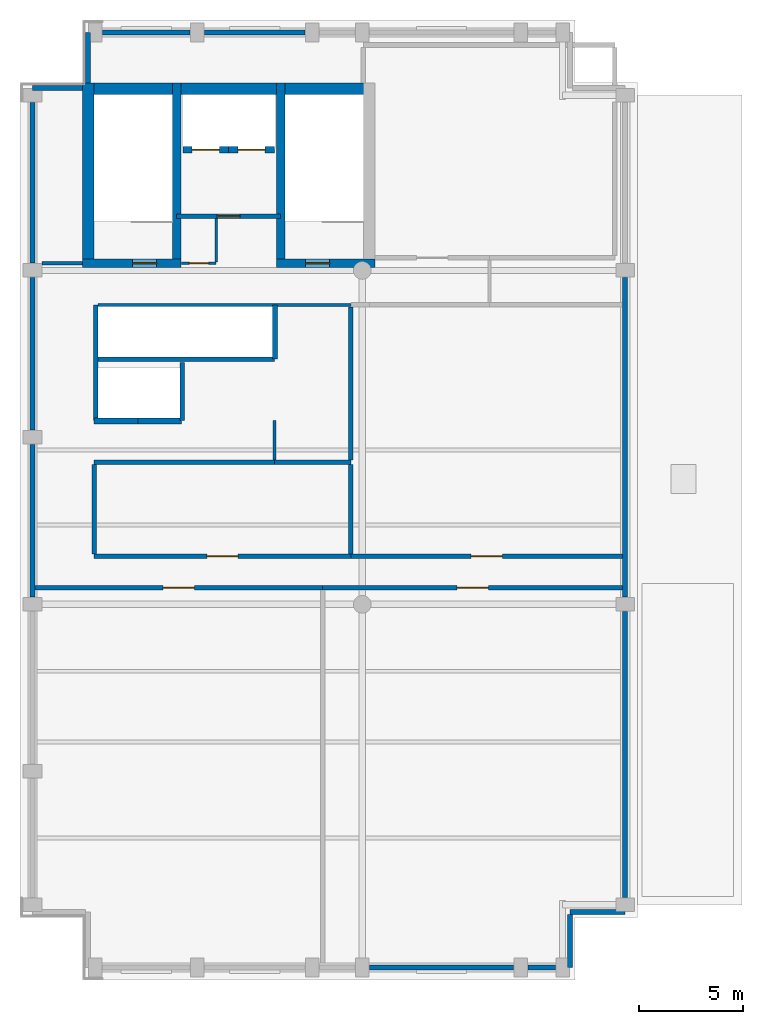
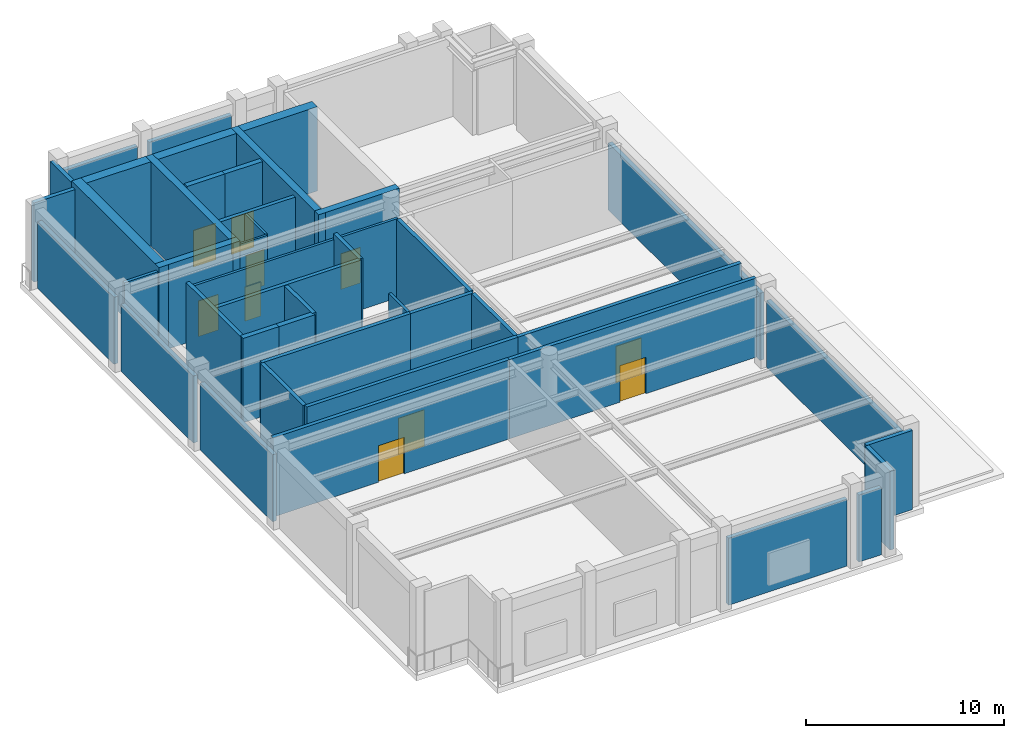
# One storey, part 2 of 4: 42 walls, 10 doors, 10 openings.
"""IFC4 building model written with IfcOpenShell, lengths in metres."""

from ifc_helpers import new_model, si_unit, direction, frame, frame_2d, origin, place, context, subcontext, project, spatial, rectangle, extrude, material, layer, layer_set, type_object, element, fill, save


model = new_model("IFC4")

# Units and contexts
model_context = context("Model", 3, precision=1e-05, world=origin(), true_north=direction((0.0, 1.0)))
body_context = subcontext(model_context, "Body", "Model", "MODEL_VIEW")
ifc_project = project(units=[si_unit("LENGTHUNIT", "METRE"), si_unit("AREAUNIT", "SQUARE_METRE"), si_unit("VOLUMEUNIT", "CUBIC_METRE"), si_unit("PLANEANGLEUNIT", "RADIAN"), si_unit("MASSUNIT", "GRAM", prefix="KILO")], contexts=[model_context])

# Site, building, storey
site_placement = place(None, origin())
site = spatial("IfcSite", under=ifc_project, at=site_placement, CompositionType="ELEMENT")
building_placement = place(site_placement, origin())
building = spatial("IfcBuilding", under=site, at=building_placement, Name="Sulina Concourse Tower", CompositionType="ELEMENT")
storey_placement = place(building_placement, frame((0.0, 0.0, 317.800048828125)))
storey = spatial("IfcBuildingStorey", under=building, at=storey_placement, Name="L77", CompositionType="ELEMENT", Elevation=317.800048828125)

# Walls
ifc_material_1 = material(Name="Concrete C50/60", Category="concrete")
ifc_layer_1 = layer(ifc_material_1, 0.219970703125)
ifc_layer_set_1 = layer_set([ifc_layer_1], Name="Concrete C50/60")
wall_type_1 = type_object("IfcWallType", Name="Core Lift Hoistway Divider Wall 220mm", PredefinedType="SOLIDWALL", material=ifc_layer_set_1)
wall_1_placement = place(storey_placement, frame((3.550048828125, 29.75, 0.0), z_axis=(0.0, 0.0, 1.0), x_axis=(1.0, 0.0, 0.0)))
element("IfcWall", 1, at=wall_1_placement, inside=storey, type_object=wall_type_1, Name="L77 shaft divider wall HW-LP3-S", PredefinedType="SOLIDWALL", context=body_context, shape_type="SweptSolid", body=[
    extrude(rectangle(XDim=8.64990234375, YDim=0.219970703125, at=frame_2d((4.324951171875, 0.0))), origin(), (0.0, 0.0, 1.0), 5.199951171875),
])
wall_2_placement = place(storey_placement, frame((3.6298828125, 26.800048828125, 0.0), z_axis=(0.0, 0.0, 1.0), x_axis=(0.0, 1.0, 0.0)))
element("IfcWall", 2, at=wall_2_placement, inside=storey, type_object=wall_type_1, Name="L77 shaft divider wall HW-LP3-W", PredefinedType="SOLIDWALL", context=body_context, shape_type="SweptSolid", body=[
    extrude(rectangle(XDim=5.550048828125, YDim=0.219970703125, at=frame_2d((2.77490234375, 0.0))), origin(), (0.0, 0.0, 1.0), 5.199951171875),
])
wall_3_placement = place(storey_placement, frame((7.780029296875, 26.800048828125, 0.0), z_axis=(0.0, 0.0, 1.0), x_axis=(0.0, 1.0, 0.0)))
element("IfcWall", 3, at=wall_3_placement, inside=storey, type_object=wall_type_1, Name="L77 shaft divider wall HW-EXP-E", PredefinedType="SOLIDWALL", context=body_context, shape_type="SweptSolid", body=[
    extrude(rectangle(XDim=2.800048828125, YDim=0.219970703125, at=frame_2d((1.39990234375, 0.0))), origin(), (0.0, 0.0, 1.0), 5.199951171875),
])
wall_4_placement = place(storey_placement, frame((12.219970703125, 29.75, 0.0), z_axis=(0.0, 0.0, 1.0), x_axis=(0.0, 1.0, 0.0)))
element("IfcWall", 4, at=wall_4_placement, inside=storey, type_object=wall_type_1, Name="L77 shaft divider wall HW-LP3-E", PredefinedType="SOLIDWALL", context=body_context, shape_type="SweptSolid", body=[
    extrude(rectangle(XDim=2.60009765625, YDim=0.219970703125, at=frame_2d((1.300048828125, 0.0))), origin(), (0.0, 0.0, 1.0), 5.199951171875),
])
ifc_material_2 = material(Name="Concrete C50/60", Category="concrete")
ifc_layer_2 = layer(ifc_material_2, 0.300048828125)
ifc_layer_set_2 = layer_set([ifc_layer_2], Name="Concrete C50/60")
wall_type_2 = type_object("IfcWallType", Name="Core Lift Hoistway Wall 300mm", PredefinedType="SOLIDWALL", material=ifc_layer_set_2)
wall_5_placement = place(storey_placement, frame((5.64990234375, 26.780029296875, 0.0), z_axis=(0.0, 0.0, 1.0), x_axis=(-1.0, 0.0, 0.0)))
element("IfcWall", 5, at=wall_5_placement, inside=storey, type_object=wall_type_2, Name="L77 hoistway enclosure wall EXP-1", PredefinedType="SOLIDWALL", context=body_context, shape_type="SweptSolid", body=[
    extrude(rectangle(XDim=2.099853515625, YDim=0.300048828125, at=frame_2d((1.0498046875, 0.0))), origin(), (0.0, 0.0, 1.0), 5.199951171875),
])
wall_6_placement = place(storey_placement, frame((7.75, 26.780029296875, 0.0), z_axis=(0.0, 0.0, 1.0), x_axis=(-1.0, 0.0, 0.0)))
element("IfcWall", 6, at=wall_6_placement, inside=storey, type_object=wall_type_2, Name="L77 hoistway enclosure wall EXP-2", PredefinedType="SOLIDWALL", context=body_context, shape_type="SweptSolid", body=[
    extrude(rectangle(XDim=2.10009765625, YDim=0.300048828125, at=frame_2d((1.050048828125, 0.0))), origin(), (0.0, 0.0, 1.0), 5.199951171875),
])

# Wall, opening, door
wall_7_placement = place(storey_placement, frame((10.0, 39.780029296875, 0.0), z_axis=(0.0, 0.0, 1.0), x_axis=(-1.0, 0.0, 0.0)))
wall_7 = element("IfcWall", 7, at=wall_7_placement, inside=storey, type_object=wall_type_2, Name="L77 hoistway enclosure wall FFL-1", PredefinedType="SOLIDWALL", context=body_context, shape_type="SweptSolid", body=[
    extrude(rectangle(XDim=2.199951171875, YDim=0.300048828125, at=frame_2d((1.10009765625, 0.0))), origin(), (0.0, 0.0, 1.0), 5.199951171875),
])
opening_1_placement = place(wall_7_placement, frame((0.449951171875, 0.0, 0.0)))
opening_1 = element("IfcOpeningElement", 8, at=opening_1_placement, cuts=wall_7, Name="Opening LD-02", PredefinedType="OPENING", context=body_context, shape_type="SweptSolid", body=[
    extrude(rectangle(XDim=1.300048828125, YDim=2.25, at=frame_2d((0.64990234375, 1.125))), frame((0.0, 0.159912109375, 0.0), z_axis=(0.0, -1.0, 0.0), x_axis=(1.0, 0.0, 0.0)), (0.0, 0.0, 1.0), 0.320068359375),
])
ifc_material_3 = material(Name="Stainless steel lift landing door", Category="steel")
ifc_layer_3 = layer(ifc_material_3, 0.050048828125)
ifc_layer_set_3 = layer_set([ifc_layer_3], Name="Stainless steel lift landing door")
door_type_1 = type_object("IfcDoorType", Name="Firefighting Lift Sliding Landing Door 1300x2250", OperationType="SLIDING_TO_RIGHT", PredefinedType="DOOR", material=ifc_layer_set_3)
door_1_placement = place(opening_1_placement, origin())
door_1 = element("IfcDoor", 9, at=door_1_placement, inside=storey, type_object=door_type_1, Name="L77 lift landing sliding door FFL-1", OperationType="SLIDING_TO_LEFT", OverallHeight=2.25, OverallWidth=1.300048828125, PredefinedType="DOOR", context=body_context, shape_type="SweptSolid", body=[
    extrude(rectangle(XDim=1.300048828125, YDim=2.25, at=frame_2d((0.64990234375, 1.125))), frame((0.0, 0.02490234375, 0.0), z_axis=(0.0, -1.0, 0.0), x_axis=(1.0, 0.0, 0.0)), (0.0, 0.0, 1.0), 0.050048828125),
])
fill(opening_1, door_1)

wall_8_placement = place(storey_placement, frame((12.199951171875, 39.780029296875, 0.0), z_axis=(0.0, 0.0, 1.0), x_axis=(-1.0, 0.0, 0.0)))
wall_8 = element("IfcWall", 10, at=wall_8_placement, inside=storey, type_object=wall_type_2, Name="L77 hoistway enclosure wall FFL-2", PredefinedType="SOLIDWALL", context=body_context, shape_type="SweptSolid", body=[
    extrude(rectangle(XDim=2.199951171875, YDim=0.300048828125, at=frame_2d((1.10009765625, 0.0))), origin(), (0.0, 0.0, 1.0), 5.199951171875),
])
opening_2_placement = place(wall_8_placement, frame((0.449951171875, 0.0, 0.0)))
opening_2 = element("IfcOpeningElement", 11, at=opening_2_placement, cuts=wall_8, Name="Opening LD-02", PredefinedType="OPENING", context=body_context, shape_type="SweptSolid", body=[
    extrude(rectangle(XDim=1.300048828125, YDim=2.25, at=frame_2d((0.64990234375, 1.125))), frame((0.0, 0.159912109375, 0.0), z_axis=(0.0, -1.0, 0.0), x_axis=(1.0, 0.0, 0.0)), (0.0, 0.0, 1.0), 0.320068359375),
])
door_2_placement = place(opening_2_placement, origin())
door_2 = element("IfcDoor", 12, at=door_2_placement, inside=storey, type_object=door_type_1, Name="L77 lift landing sliding door FFL-2", OperationType="SLIDING_TO_RIGHT", OverallHeight=2.25, OverallWidth=1.300048828125, PredefinedType="DOOR", context=body_context, shape_type="SweptSolid", body=[
    extrude(rectangle(XDim=1.300048828125, YDim=2.25, at=frame_2d((0.64990234375, 1.125))), frame((0.0, 0.02490234375, 0.0), z_axis=(0.0, -1.0, 0.0), x_axis=(1.0, 0.0, 0.0)), (0.0, 0.0, 1.0), 0.050048828125),
])
fill(opening_2, door_2)

# Walls
ifc_material_4 = material(Name="Precast concrete C50/60", Category="concrete")
ifc_layer_4 = layer(ifc_material_4, 0.239990234375)
ifc_layer_set_4 = layer_set([ifc_layer_4], Name="Precast concrete C50/60")
wall_type_3 = type_object("IfcWallType", Name="Crown Precast Masonry-Frame Facade Wall 240mm", PredefinedType="SOLIDWALL", material=ifc_layer_set_4)
wall_9_placement = place(storey_placement, frame((23.655029296875, 0.60009765625, 0.0), z_axis=(0.0, 0.0, 1.0), x_axis=(-1.0, 0.0, 0.0)))
element("IfcWall", 13, at=wall_9_placement, inside=storey, type_object=wall_type_3, Name="L77 exterior precast wall S4", PredefinedType="SOLIDWALL", context=body_context, shape_type="SweptSolid", body=[
    extrude(rectangle(XDim=6.909912109375, YDim=0.239990234375, at=frame_2d((3.455078125, 0.0))), origin(), (0.0, 0.0, 1.0), 4.1298828125),
])
wall_10_placement = place(storey_placement, frame((25.655029296875, 0.60009765625, 0.0), z_axis=(0.0, 0.0, 1.0), x_axis=(-1.0, 0.0, 0.0)))
element("IfcWall", 14, at=wall_10_placement, inside=storey, type_object=wall_type_3, Name="L77 exterior precast wall S5", PredefinedType="SOLIDWALL", context=body_context, shape_type="SweptSolid", body=[
    extrude(rectangle(XDim=1.31005859375, YDim=0.239990234375, at=frame_2d((0.655029296875, 0.0))), origin(), (0.0, 0.0, 1.0), 4.1298828125),
])
for number, where, z_axis, x_axis, name in (
    (15, (0.60009765625, 18.344970703125, 0.0), (0.0, 0.0, 1.0), (0.0, 1.0, 0.0), "L77 exterior precast wall W3"),
    (16, (0.60009765625, 26.344970703125, 0.0), (0.0, 0.0, 1.0), (0.0, 1.0, 0.0), "L77 exterior precast wall W4"),
):
    element("IfcWall", number, at=place(storey_placement, frame(where, z_axis=z_axis, x_axis=x_axis)), inside=storey, type_object=wall_type_3, Name=name, PredefinedType="SOLIDWALL", context=body_context, shape_type="SweptSolid", body=[
        extrude(rectangle(XDim=7.31005859375, YDim=0.239990234375, at=frame_2d((3.655029296875, 0.0))), origin(), (0.0, 0.0, 1.0), 4.1298828125),
    ])
wall_11_placement = place(storey_placement, frame((0.60009765625, 34.344970703125, 0.0), z_axis=(0.0, 0.0, 1.0), x_axis=(0.0, 1.0, 0.0)))
element("IfcWall", 17, at=wall_11_placement, inside=storey, type_object=wall_type_3, Name="L77 exterior precast wall W5", PredefinedType="SOLIDWALL", context=body_context, shape_type="SweptSolid", body=[
    extrude(rectangle(XDim=7.7099609375, YDim=0.239990234375, at=frame_2d((3.85498046875, 0.0))), origin(), (0.0, 0.0, 1.0), 4.1298828125),
])
wall_12_placement = place(storey_placement, frame((3.945068359375, 45.39990234375, 0.0), z_axis=(0.0, 0.0, 1.0), x_axis=(1.0, 0.0, 0.0)))
element("IfcWall", 18, at=wall_12_placement, inside=storey, type_object=wall_type_3, Name="L77 exterior precast wall N1", PredefinedType="SOLIDWALL", context=body_context, shape_type="SweptSolid", body=[
    extrude(rectangle(XDim=4.2099609375, YDim=0.239990234375, at=frame_2d((2.10498046875, 0.0))), origin(), (0.0, 0.0, 1.0), 4.1298828125),
])
wall_13_placement = place(storey_placement, frame((8.844970703125, 45.39990234375, 0.0), z_axis=(0.0, 0.0, 1.0), x_axis=(1.0, 0.0, 0.0)))
element("IfcWall", 19, at=wall_13_placement, inside=storey, type_object=wall_type_3, Name="L77 exterior precast wall N2", PredefinedType="SOLIDWALL", context=body_context, shape_type="SweptSolid", body=[
    extrude(rectangle(XDim=4.81005859375, YDim=0.239990234375, at=frame_2d((2.405029296875, 0.0))), origin(), (0.0, 0.0, 1.0), 4.1298828125),
])
wall_14_placement = place(storey_placement, frame((29.0, 17.655029296875, 0.0), z_axis=(0.0, 0.0, 1.0), x_axis=(0.0, -1.0, 0.0)))
element("IfcWall", 20, at=wall_14_placement, inside=storey, type_object=wall_type_3, Name="L77 exterior precast wall E1", PredefinedType="SOLIDWALL", context=body_context, shape_type="SweptSolid", body=[
    extrude(rectangle(XDim=13.7099609375, YDim=0.239990234375, at=frame_2d((6.85498046875, 0.0))), origin(), (0.0, 0.0, 1.0), 4.1298828125),
])
wall_15_placement = place(storey_placement, frame((29.0, 33.655029296875, 0.0), z_axis=(0.0, 0.0, 1.0), x_axis=(0.0, -1.0, 0.0)))
element("IfcWall", 21, at=wall_15_placement, inside=storey, type_object=wall_type_3, Name="L77 exterior precast wall E2", PredefinedType="SOLIDWALL", context=body_context, shape_type="SweptSolid", body=[
    extrude(rectangle(XDim=15.31005859375, YDim=0.239990234375, at=frame_2d((7.655029296875, 0.0))), origin(), (0.0, 0.0, 1.0), 4.1298828125),
])
wall_16_placement = place(storey_placement, frame((0.60009765625, 42.7451171875, 0.0), z_axis=(0.0, 0.0, 1.0), x_axis=(1.0, 0.0, 0.0)))
element("IfcWall", 22, at=wall_16_placement, inside=storey, type_object=wall_type_3, Name="L77 exterior precast wall CNW1", PredefinedType="SOLIDWALL", context=body_context, shape_type="SweptSolid", body=[
    extrude(rectangle(XDim=2.39501953125, YDim=0.239990234375, at=frame_2d((1.197509765625, 0.0))), origin(), (0.0, 0.0, 1.0), 4.8798828125),
])
wall_17_placement = place(storey_placement, frame((3.2548828125, 42.985107421875, 0.0), z_axis=(0.0, 0.0, 1.0), x_axis=(0.0, 1.0, 0.0)))
element("IfcWall", 23, at=wall_17_placement, inside=storey, type_object=wall_type_3, Name="L77 exterior precast wall CNW2", PredefinedType="SOLIDWALL", context=body_context, shape_type="SweptSolid", body=[
    extrude(rectangle(XDim=2.414794921875, YDim=0.239990234375, at=frame_2d((1.20751953125, 0.0))), origin(), (0.0, 0.0, 1.0), 4.8798828125),
])
wall_18_placement = place(storey_placement, frame((29.0, 3.2548828125, 0.0), z_axis=(0.0, 0.0, 1.0), x_axis=(-1.0, 0.0, 0.0)))
element("IfcWall", 24, at=wall_18_placement, inside=storey, type_object=wall_type_3, Name="L77 exterior precast wall CSE1", PredefinedType="SOLIDWALL", context=body_context, shape_type="SweptSolid", body=[
    extrude(rectangle(XDim=2.655029296875, YDim=0.239990234375, at=frame_2d((1.32763671875, 0.0))), origin(), (0.0, 0.0, 1.0), 4.8798828125),
])
wall_19_placement = place(storey_placement, frame((26.344970703125, 3.1298828125, 0.0), z_axis=(0.0, 0.0, 1.0), x_axis=(0.0, -1.0, 0.0)))
element("IfcWall", 25, at=wall_19_placement, inside=storey, type_object=wall_type_3, Name="L77 exterior precast wall CSE2", PredefinedType="SOLIDWALL", context=body_context, shape_type="SweptSolid", body=[
    extrude(rectangle(XDim=2.52978515625, YDim=0.239990234375, at=frame_2d((1.264892578125, 0.0))), origin(), (0.0, 0.0, 1.0), 4.8798828125),
])

# Wall, opening, door
ifc_material_5 = material(Name="Gypsum board on steel stud", Category="steel")
ifc_layer_5 = layer(ifc_material_5, 0.219970703125)
ifc_layer_set_5 = layer_set([ifc_layer_5], Name="Gypsum board on steel stud")
wall_type_4 = type_object("IfcWallType", Name="Fire-Rated Lobby & Compartment Wall 220mm", PredefinedType="PARTITIONING", material=ifc_layer_set_5)
wall_20_placement = place(storey_placement, frame((7.510009765625, 36.60009765625, 0.0), z_axis=(0.0, 0.0, 1.0), x_axis=(1.0, 0.0, 0.0)))
wall_20 = element("IfcWall", 26, at=wall_20_placement, inside=storey, type_object=wall_type_4, Name="L77 firefighting lobby south fire wall", PredefinedType="PARTITIONING", context=body_context, shape_type="SweptSolid", body=[
    extrude(rectangle(XDim=4.97998046875, YDim=0.219970703125, at=frame_2d((2.489990234375, 0.0))), origin(), (0.0, 0.0, 1.0), 4.8798828125),
])
opening_3_placement = place(wall_20_placement, frame((1.93994140625, 0.0, 0.0)))
opening_3 = element("IfcOpeningElement", 27, at=opening_3_placement, cuts=wall_20, Name="Opening DR-47", PredefinedType="OPENING", context=body_context, shape_type="SweptSolid", body=[
    extrude(rectangle(XDim=1.10009765625, YDim=2.199951171875, at=frame_2d((0.550048828125, 1.10009765625))), frame((0.0, 0.119873046875, 0.0), z_axis=(0.0, -1.0, 0.0), x_axis=(1.0, 0.0, 0.0)), (0.0, 0.0, 1.0), 0.239990234375),
])
ifc_material_6 = material(Name="Galvanised steel acoustic fire leaf", Category="steel")
ifc_layer_6 = layer(ifc_material_6, 0.054931640625)
ifc_layer_set_6 = layer_set([ifc_layer_6], Name="Galvanised steel acoustic fire leaf")
door_type_2 = type_object("IfcDoorType", Name="Firefighting Lobby Fire Door 1100x2200", OperationType="NOTDEFINED", PredefinedType="DOOR", material=ifc_layer_set_6)
door_3_placement = place(opening_3_placement, origin())
door_3 = element("IfcDoor", 28, at=door_3_placement, inside=storey, type_object=door_type_2, Name="L77 firefighting lobby fire door", OperationType="SINGLE_SWING_RIGHT", OverallHeight=2.199951171875, OverallWidth=1.10009765625, PredefinedType="DOOR", context=body_context, shape_type="SweptSolid", body=[
    extrude(rectangle(XDim=1.10009765625, YDim=2.199951171875, at=frame_2d((0.550048828125, 1.10009765625))), frame((0.0, 0.02490234375, 0.0), z_axis=(0.0, -1.0, 0.0), x_axis=(1.0, 0.0, 0.0)), (0.0, 0.0, 1.0), 0.050048828125),
])
fill(opening_3, door_3)

wall_21_placement = place(storey_placement, frame((0.719970703125, 18.800048828125, 0.0), z_axis=(0.0, 0.0, 1.0), x_axis=(1.0, 0.0, 0.0)))
wall_21 = element("IfcWall", 29, at=wall_21_placement, inside=storey, type_object=wall_type_4, Name="L77 interior partition 001", PredefinedType="PARTITIONING", context=body_context, shape_type="SweptSolid", body=[
    extrude(rectangle(XDim=13.780029296875, YDim=0.219970703125, at=frame_2d((6.89013671875, 0.0))), origin(), (0.0, 0.0, 1.0), 4.8798828125),
])
opening_4_placement = place(wall_21_placement, frame((6.139892578125, 0.0, 0.0)))
opening_4 = element("IfcOpeningElement", 30, at=opening_4_placement, cuts=wall_21, Name="Opening DR-80", PredefinedType="OPENING", context=body_context, shape_type="SweptSolid", body=[
    extrude(rectangle(XDim=1.5, YDim=2.25, at=frame_2d((0.75, 1.125))), frame((0.0, 0.119873046875, 0.0), z_axis=(0.0, -1.0, 0.0), x_axis=(1.0, 0.0, 0.0)), (0.0, 0.0, 1.0), 0.239990234375),
])
ifc_material_7 = material(Name="Galvanised steel acoustic fire leaf", Category="steel")
ifc_layer_7 = layer(ifc_material_7, 0.054931640625)
ifc_layer_set_7 = layer_set([ifc_layer_7], Name="Galvanised steel acoustic fire leaf")
door_type_3 = type_object("IfcDoorType", Name="Mechanical Plant Double Fire Door 1500x2250", OperationType="DOUBLE_DOOR_SINGLE_SWING", PredefinedType="DOOR", material=ifc_layer_set_7)
door_4_placement = place(opening_4_placement, origin())
door_4 = element("IfcDoor", 31, at=door_4_placement, inside=storey, type_object=door_type_3, Name="L77 interior door L77-CHILLER", OperationType="DOUBLE_DOOR_SINGLE_SWING", OverallHeight=2.25, OverallWidth=1.5, PredefinedType="DOOR", context=body_context, shape_type="SweptSolid", body=[
    extrude(rectangle(XDim=1.5, YDim=2.25, at=frame_2d((0.75, 1.125))), frame((0.0, 0.02490234375, 0.0), z_axis=(0.0, -1.0, 0.0), x_axis=(1.0, 0.0, 0.0)), (0.0, 0.0, 1.0), 0.050048828125),
])
fill(opening_4, door_4)

wall_22_placement = place(storey_placement, frame((14.5, 18.800048828125, 0.0), z_axis=(0.0, 0.0, 1.0), x_axis=(1.0, 0.0, 0.0)))
wall_22 = element("IfcWall", 32, at=wall_22_placement, inside=storey, type_object=wall_type_4, Name="L77 interior partition 002", PredefinedType="PARTITIONING", context=body_context, shape_type="SweptSolid", body=[
    extrude(rectangle(XDim=14.3798828125, YDim=0.219970703125, at=frame_2d((7.18994140625, 0.0))), origin(), (0.0, 0.0, 1.0), 4.8798828125),
])
opening_5_placement = place(wall_22_placement, frame((6.43994140625, 0.0, 0.0)))
opening_5 = element("IfcOpeningElement", 33, at=opening_5_placement, cuts=wall_22, Name="Opening DR-80", PredefinedType="OPENING", context=body_context, shape_type="SweptSolid", body=[
    extrude(rectangle(XDim=1.5, YDim=2.25, at=frame_2d((0.75, 1.125))), frame((0.0, 0.119873046875, 0.0), z_axis=(0.0, -1.0, 0.0), x_axis=(1.0, 0.0, 0.0)), (0.0, 0.0, 1.0), 0.239990234375),
])
door_5_placement = place(opening_5_placement, origin())
door_5 = element("IfcDoor", 34, at=door_5_placement, inside=storey, type_object=door_type_3, Name="L77 interior door L77-AHU-RM", OperationType="DOUBLE_DOOR_SINGLE_SWING", OverallHeight=2.25, OverallWidth=1.5, PredefinedType="DOOR", context=body_context, shape_type="SweptSolid", body=[
    extrude(rectangle(XDim=1.5, YDim=2.25, at=frame_2d((0.75, 1.125))), frame((0.0, 0.02490234375, 0.0), z_axis=(0.0, -1.0, 0.0), x_axis=(1.0, 0.0, 0.0)), (0.0, 0.0, 1.0), 0.050048828125),
])
fill(opening_5, door_5)

wall_23_placement = place(storey_placement, frame((3.550048828125, 20.300048828125, 0.0), z_axis=(0.0, 0.0, 1.0), x_axis=(1.0, 0.0, 0.0)))
wall_23 = element("IfcWall", 35, at=wall_23_placement, inside=storey, type_object=wall_type_4, Name="L77 interior partition 003", PredefinedType="PARTITIONING", context=body_context, shape_type="SweptSolid", body=[
    extrude(rectangle(XDim=12.300048828125, YDim=0.219970703125, at=frame_2d((6.14990234375, 0.0))), origin(), (0.0, 0.0, 1.0), 4.8798828125),
])
opening_6_placement = place(wall_23_placement, frame((5.39990234375, 0.0, 0.0)))
opening_6 = element("IfcOpeningElement", 36, at=opening_6_placement, cuts=wall_23, Name="Opening DR-80", PredefinedType="OPENING", context=body_context, shape_type="SweptSolid", body=[
    extrude(rectangle(XDim=1.5, YDim=2.25, at=frame_2d((0.75, 1.125))), frame((0.0, 0.119873046875, 0.0), z_axis=(0.0, -1.0, 0.0), x_axis=(1.0, 0.0, 0.0)), (0.0, 0.0, 1.0), 0.239990234375),
])
door_6_placement = place(opening_6_placement, origin())
door_6 = element("IfcDoor", 37, at=door_6_placement, inside=storey, type_object=door_type_3, Name="L77 interior door L77-PL-W3", OperationType="DOUBLE_DOOR_SINGLE_SWING", OverallHeight=2.25, OverallWidth=1.5, PredefinedType="DOOR", context=body_context, shape_type="SweptSolid", body=[
    extrude(rectangle(XDim=1.5, YDim=2.25, at=frame_2d((0.75, 1.125))), frame((0.0, 0.02490234375, 0.0), z_axis=(0.0, -1.0, 0.0), x_axis=(1.0, 0.0, 0.0)), (0.0, 0.0, 1.0), 0.050048828125),
])
fill(opening_6, door_6)

wall_24_placement = place(storey_placement, frame((15.85009765625, 20.300048828125, 0.0), z_axis=(0.0, 0.0, 1.0), x_axis=(1.0, 0.0, 0.0)))
wall_24 = element("IfcWall", 38, at=wall_24_placement, inside=storey, type_object=wall_type_4, Name="L77 interior partition 004", PredefinedType="PARTITIONING", context=body_context, shape_type="SweptSolid", body=[
    extrude(rectangle(XDim=13.02978515625, YDim=0.219970703125, at=frame_2d((6.514892578125, 0.0))), origin(), (0.0, 0.0, 1.0), 4.8798828125),
])
opening_7_placement = place(wall_24_placement, frame((5.764892578125, 0.0, 0.0)))
opening_7 = element("IfcOpeningElement", 39, at=opening_7_placement, cuts=wall_24, Name="Opening DR-80", PredefinedType="OPENING", context=body_context, shape_type="SweptSolid", body=[
    extrude(rectangle(XDim=1.5, YDim=2.25, at=frame_2d((0.75, 1.125))), frame((0.0, 0.119873046875, 0.0), z_axis=(0.0, -1.0, 0.0), x_axis=(1.0, 0.0, 0.0)), (0.0, 0.0, 1.0), 0.239990234375),
])
door_7_placement = place(opening_7_placement, origin())
door_7 = element("IfcDoor", 40, at=door_7_placement, inside=storey, type_object=door_type_3, Name="L77 interior door L77-SWG-RM", OperationType="DOUBLE_DOOR_SINGLE_SWING", OverallHeight=2.25, OverallWidth=1.5, PredefinedType="DOOR", context=body_context, shape_type="SweptSolid", body=[
    extrude(rectangle(XDim=1.5, YDim=2.25, at=frame_2d((0.75, 1.125))), frame((0.0, 0.02490234375, 0.0), z_axis=(0.0, -1.0, 0.0), x_axis=(1.0, 0.0, 0.0)), (0.0, 0.0, 1.0), 0.050048828125),
])
fill(opening_7, door_7)

# Walls
wall_25_placement = place(storey_placement, frame((3.550048828125, 24.800048828125, 0.0), z_axis=(0.0, 0.0, 1.0), x_axis=(1.0, 0.0, 0.0)))
element("IfcWall", 41, at=wall_25_placement, inside=storey, type_object=wall_type_4, Name="L77 interior partition 005", PredefinedType="PARTITIONING", context=body_context, shape_type="SweptSolid", body=[
    extrude(rectangle(XDim=8.64990234375, YDim=0.219970703125, at=frame_2d((4.324951171875, 0.0))), origin(), (0.0, 0.0, 1.0), 4.8798828125),
])
wall_26_placement = place(storey_placement, frame((12.199951171875, 24.800048828125, 0.0), z_axis=(0.0, 0.0, 1.0), x_axis=(1.0, 0.0, 0.0)))
element("IfcWall", 42, at=wall_26_placement, inside=storey, type_object=wall_type_4, Name="L77 interior partition 006", PredefinedType="PARTITIONING", context=body_context, shape_type="SweptSolid", body=[
    extrude(rectangle(XDim=3.650146484375, YDim=0.219970703125, at=frame_2d((1.8251953125, 0.0))), origin(), (0.0, 0.0, 1.0), 4.8798828125),
])
for number, where, z_axis, x_axis, name in (
    (43, (3.550048828125, 20.409912109375, 0.0), (0.0, 0.0, 1.0), (0.0, 1.0, 0.0), "L77 interior partition 016"),
    (44, (15.85009765625, 20.409912109375, 0.0), (0.0, 0.0, 1.0), (0.0, 1.0, 0.0), "L77 interior partition 020"),
):
    element("IfcWall", number, at=place(storey_placement, frame(where, z_axis=z_axis, x_axis=x_axis)), inside=storey, type_object=wall_type_4, Name=name, PredefinedType="PARTITIONING", context=body_context, shape_type="SweptSolid", body=[
        extrude(rectangle(XDim=4.280029296875, YDim=0.219970703125, at=frame_2d((2.14013671875, 0.0))), origin(), (0.0, 0.0, 1.0), 4.8798828125),
    ])
wall_27_placement = place(storey_placement, frame((15.85009765625, 24.909912109375, 0.0), z_axis=(0.0, 0.0, 1.0), x_axis=(0.0, 1.0, 0.0)))
element("IfcWall", 45, at=wall_27_placement, inside=storey, type_object=wall_type_4, Name="L77 interior partition 021", PredefinedType="PARTITIONING", context=body_context, shape_type="SweptSolid", body=[
    extrude(rectangle(XDim=7.330078125, YDim=0.219970703125, at=frame_2d((3.6650390625, 0.0))), origin(), (0.0, 0.0, 1.0), 4.8798828125),
])
ifc_material_8 = material(Name="Gypsum board on steel stud", Category="steel")
ifc_layer_8 = layer(ifc_material_8, 0.14990234375)
ifc_layer_set_8 = layer_set([ifc_layer_8], Name="Gypsum board on steel stud")
wall_type_5 = type_object("IfcWallType", Name="Inter-Tenancy Acoustic Partition 150mm", PredefinedType="PARTITIONING", material=ifc_layer_set_8)
wall_28_placement = place(storey_placement, frame((3.739990234375, 32.35009765625, 0.0), z_axis=(0.0, 0.0, 1.0), x_axis=(1.0, 0.0, 0.0)))
element("IfcWall", 46, at=wall_28_placement, inside=storey, type_object=wall_type_5, Name="L77 interior partition 007", PredefinedType="PARTITIONING", context=body_context, shape_type="SweptSolid", body=[
    extrude(rectangle(XDim=12.110107421875, YDim=0.14990234375, at=frame_2d((6.05517578125, 0.0))), origin(), (0.0, 0.0, 1.0), 4.8798828125),
])
wall_29_placement = place(storey_placement, frame((12.199951171875, 24.909912109375, 0.0), z_axis=(0.0, 0.0, 1.0), x_axis=(0.0, 1.0, 0.0)))
element("IfcWall", 47, at=wall_29_placement, inside=storey, type_object=wall_type_5, Name="L77 interior partition 018", PredefinedType="PARTITIONING", context=body_context, shape_type="SweptSolid", body=[
    extrude(rectangle(XDim=1.89013671875, YDim=0.14990234375, at=frame_2d((0.945068359375, 0.0))), origin(), (0.0, 0.0, 1.0), 4.8798828125),
])
ifc_material_9 = material(Name="Gypsum board on steel stud", Category="steel")
ifc_layer_9 = layer(ifc_material_9, 0.179931640625)
ifc_layer_set_9 = layer_set([ifc_layer_9], Name="Gypsum board on steel stud")
wall_type_6 = type_object("IfcWallType", Name="Protected Corridor & Riser Partition 180mm", PredefinedType="PARTITIONING", material=ifc_layer_set_9)
wall_30_placement = place(storey_placement, frame((1.050048828125, 34.35009765625, 0.0), z_axis=(0.0, 0.0, 1.0), x_axis=(1.0, 0.0, 0.0)))
element("IfcWall", 48, at=wall_30_placement, inside=storey, type_object=wall_type_6, Name="L77 interior partition 011", PredefinedType="PARTITIONING", context=body_context, shape_type="SweptSolid", body=[
    extrude(rectangle(XDim=1.949951171875, YDim=0.179931640625, at=frame_2d((0.97509765625, 0.0))), origin(), (0.0, 0.0, 1.0), 4.8798828125),
])

# Wall, opening, door
ifc_material_10 = material(Name="Concrete C60/75", Category="concrete")
ifc_layer_10 = layer(ifc_material_10, 0.39990234375)
ifc_layer_set_10 = layer_set([ifc_layer_10], Name="Concrete C60/75")
wall_type_7 = type_object("IfcWallType", Name="Protected Stair Core Shear Wall 400mm", PredefinedType="SHEAR", material=ifc_layer_set_10)
wall_31_placement = place(storey_placement, frame((3.0, 34.35009765625, 0.0), z_axis=(0.0, 0.0, 1.0), x_axis=(1.0, 0.0, 0.0)))
wall_31 = element("IfcWall", 49, at=wall_31_placement, inside=storey, type_object=wall_type_7, Name="L77 west core shear wall CW-WS1", PredefinedType="SHEAR", context=body_context, shape_type="SweptSolid", body=[
    extrude(rectangle(XDim=4.7099609375, YDim=0.39990234375, at=frame_2d((2.35498046875, 0.0))), origin(), (0.0, 0.0, 1.0), 5.199951171875),
])
opening_8_placement = place(wall_31_placement, frame((2.39990234375, 0.0, 0.0)))
opening_8 = element("IfcOpeningElement", 50, at=opening_8_placement, cuts=wall_31, Name="Opening DR-60", PredefinedType="OPENING", context=body_context, shape_type="SweptSolid", body=[
    extrude(rectangle(XDim=1.14990234375, YDim=2.199951171875, at=frame_2d((0.574951171875, 1.10009765625))), frame((0.0, 0.2099609375, 0.0), z_axis=(0.0, -1.0, 0.0), x_axis=(1.0, 0.0, 0.0)), (0.0, 0.0, 1.0), 0.419921875),
])
ifc_material_11 = material(Name="Galvanised steel acoustic fire leaf", Category="steel")
ifc_layer_11 = layer(ifc_material_11, 0.054931640625)
ifc_layer_set_11 = layer_set([ifc_layer_11], Name="Galvanised steel acoustic fire leaf")
door_type_4 = type_object("IfcDoorType", Name="Protected Exit Stair Fire Door 1150x2200", OperationType="NOTDEFINED", PredefinedType="DOOR", material=ifc_layer_set_11)
door_8_placement = place(opening_8_placement, origin())
door_8 = element("IfcDoor", 51, at=door_8_placement, inside=storey, type_object=door_type_4, Name="L77 stair ST-1 lobby fire door", OperationType="SINGLE_SWING_RIGHT", OverallHeight=2.199951171875, OverallWidth=1.14990234375, PredefinedType="DOOR", context=body_context, shape_type="SweptSolid", body=[
    extrude(rectangle(XDim=1.14990234375, YDim=2.199951171875, at=frame_2d((0.574951171875, 1.10009765625))), frame((0.0, 0.02490234375, 0.0), z_axis=(0.0, -1.0, 0.0), x_axis=(1.0, 0.0, 0.0)), (0.0, 0.0, 1.0), 0.050048828125),
])
fill(opening_8, door_8)

wall_32_placement = place(storey_placement, frame((12.2900390625, 34.35009765625, 0.0), z_axis=(0.0, 0.0, 1.0), x_axis=(1.0, 0.0, 0.0)))
wall_32 = element("IfcWall", 52, at=wall_32_placement, inside=storey, type_object=wall_type_7, Name="L77 west core shear wall CW-WS2", PredefinedType="SHEAR", context=body_context, shape_type="SweptSolid", body=[
    extrude(rectangle(XDim=4.7099609375, YDim=0.39990234375, at=frame_2d((2.35498046875, 0.0))), origin(), (0.0, 0.0, 1.0), 5.199951171875),
])
opening_9_placement = place(wall_32_placement, frame((1.39990234375, 0.0, 0.0)))
opening_9 = element("IfcOpeningElement", 53, at=opening_9_placement, cuts=wall_32, Name="Opening DR-60", PredefinedType="OPENING", context=body_context, shape_type="SweptSolid", body=[
    extrude(rectangle(XDim=1.14990234375, YDim=2.199951171875, at=frame_2d((0.574951171875, 1.10009765625))), frame((0.0, 0.2099609375, 0.0), z_axis=(0.0, -1.0, 0.0), x_axis=(1.0, 0.0, 0.0)), (0.0, 0.0, 1.0), 0.419921875),
])
door_9_placement = place(opening_9_placement, origin())
door_9 = element("IfcDoor", 54, at=door_9_placement, inside=storey, type_object=door_type_4, Name="L77 stair ST-2 lobby fire door", OperationType="SINGLE_SWING_LEFT", OverallHeight=2.199951171875, OverallWidth=1.14990234375, PredefinedType="DOOR", context=body_context, shape_type="SweptSolid", body=[
    extrude(rectangle(XDim=1.14990234375, YDim=2.199951171875, at=frame_2d((0.574951171875, 1.10009765625))), frame((0.0, 0.02490234375, 0.0), z_axis=(0.0, -1.0, 0.0), x_axis=(1.0, 0.0, 0.0)), (0.0, 0.0, 1.0), 0.050048828125),
])
fill(opening_9, door_9)

# Walls
for number, where, z_axis, x_axis, name in (
    (55, (7.510009765625, 34.14990234375, 0.0), (0.0, 0.0, 1.0), (0.0, 1.0, 0.0), "L77 west core shear wall SW-ST1"),
    (56, (12.489990234375, 34.14990234375, 0.0), (0.0, 0.0, 1.0), (0.0, 1.0, 0.0), "L77 west core shear wall SW-ST2"),
):
    element("IfcWall", number, at=place(storey_placement, frame(where, z_axis=z_axis, x_axis=x_axis)), inside=storey, type_object=wall_type_7, Name=name, PredefinedType="SHEAR", context=body_context, shape_type="SweptSolid", body=[
        extrude(rectangle(XDim=8.830078125, YDim=0.39990234375, at=frame_2d((4.4150390625, 0.0))), origin(), (0.0, 0.0, 1.0), 5.199951171875),
    ])
ifc_material_12 = material(Name="Concrete C50/60", Category="concrete")
ifc_layer_12 = layer(ifc_material_12, 0.550048828125)
ifc_layer_set_12 = layer_set([ifc_layer_12], Name="Concrete C50/60")
wall_type_8 = type_object("IfcWallType", Name="Upper Core Shear Wall 550mm", PredefinedType="SHEAR", material=ifc_layer_set_12)
wall_33_placement = place(storey_placement, frame((3.0, 42.705078125, 0.0), z_axis=(0.0, 0.0, 1.0), x_axis=(1.0, 0.0, 0.0)))
element("IfcWall", 57, at=wall_33_placement, inside=storey, type_object=wall_type_8, Name="L77 west core shear wall CW-WN", PredefinedType="SHEAR", context=body_context, shape_type="SweptSolid", body=[
    extrude(rectangle(XDim=14.0, YDim=0.550048828125, at=frame_2d((7.0, 0.0))), origin(), (0.0, 0.0, 1.0), 5.199951171875),
])
wall_34_placement = place(storey_placement, frame((3.27490234375, 34.14990234375, 0.0), z_axis=(0.0, 0.0, 1.0), x_axis=(0.0, 1.0, 0.0)))
element("IfcWall", 58, at=wall_34_placement, inside=storey, type_object=wall_type_8, Name="L77 west core shear wall CW-WW", PredefinedType="SHEAR", context=body_context, shape_type="SweptSolid", body=[
    extrude(rectangle(XDim=8.830078125, YDim=0.550048828125, at=frame_2d((4.4150390625, 0.0))), origin(), (0.0, 0.0, 1.0), 5.199951171875),
])

# Wall, opening, door
ifc_material_13 = material(Name="Gypsum board on steel stud", Category="steel")
ifc_layer_13 = layer(ifc_material_13, 0.125)
ifc_layer_set_13 = layer_set([ifc_layer_13], Name="Gypsum board on steel stud")
wall_type_9 = type_object("IfcWallType", Name="Wet-Area Moisture-Resistant Partition 125mm", PredefinedType="PARTITIONING", material=ifc_layer_set_13)
wall_35_placement = place(storey_placement, frame((7.75, 34.35009765625, 0.0), z_axis=(0.0, 0.0, 1.0), x_axis=(1.0, 0.0, 0.0)))
wall_35 = element("IfcWall", 59, at=wall_35_placement, inside=storey, type_object=wall_type_9, Name="L77 interior partition 012", PredefinedType="PARTITIONING", context=body_context, shape_type="SweptSolid", body=[
    extrude(rectangle(XDim=1.64990234375, YDim=0.125, at=frame_2d((0.824951171875, 0.0))), origin(), (0.0, 0.0, 1.0), 4.8798828125),
])
opening_10_placement = place(wall_35_placement, frame((0.364990234375, 0.0, 0.0)))
opening_10 = element("IfcOpeningElement", 60, at=opening_10_placement, cuts=wall_35, Name="Opening DR-61", PredefinedType="OPENING", context=body_context, shape_type="SweptSolid", body=[
    extrude(rectangle(XDim=0.919921875, YDim=2.10009765625, at=frame_2d((0.4599609375, 1.050048828125))), frame((0.0, 0.072509765625, 0.0), z_axis=(0.0, -1.0, 0.0), x_axis=(1.0, 0.0, 0.0)), (0.0, 0.0, 1.0), 0.14501953125),
])
ifc_material_14 = material(Name="Oak-veneered fire door leaf")
ifc_layer_14 = layer(ifc_material_14, 0.050048828125)
ifc_layer_set_14 = layer_set([ifc_layer_14], Name="Oak-veneered fire door leaf")
door_type_5 = type_object("IfcDoorType", Name="Accessible WC Door 920x2100", OperationType="NOTDEFINED", PredefinedType="DOOR", material=ifc_layer_set_14)
door_10_placement = place(opening_10_placement, origin())
door_10 = element("IfcDoor", 61, at=door_10_placement, inside=storey, type_object=door_type_5, Name="L77 interior door L77-WC-ACC", OperationType="SINGLE_SWING_LEFT", OverallHeight=2.10009765625, OverallWidth=0.919921875, PredefinedType="DOOR", context=body_context, shape_type="SweptSolid", body=[
    extrude(rectangle(XDim=0.919921875, YDim=2.10009765625, at=frame_2d((0.4599609375, 1.050048828125))), frame((0.0, 0.02490234375, 0.0), z_axis=(0.0, -1.0, 0.0), x_axis=(1.0, 0.0, 0.0)), (0.0, 0.0, 1.0), 0.050048828125),
])
fill(opening_10, door_10)

# Wall
wall_36_placement = place(storey_placement, frame((9.39990234375, 34.41259765625, 0.0), z_axis=(0.0, 0.0, 1.0), x_axis=(0.0, 1.0, 0.0)))
element("IfcWall", 62, at=wall_36_placement, inside=storey, type_object=wall_type_9, Name="L77 interior partition 017", PredefinedType="PARTITIONING", context=body_context, shape_type="SweptSolid", body=[
    extrude(rectangle(XDim=2.077392578125, YDim=0.125, at=frame_2d((1.03857421875, 0.0))), origin(), (0.0, 0.0, 1.0), 4.8798828125),
])

save(model, "model.ifc")
